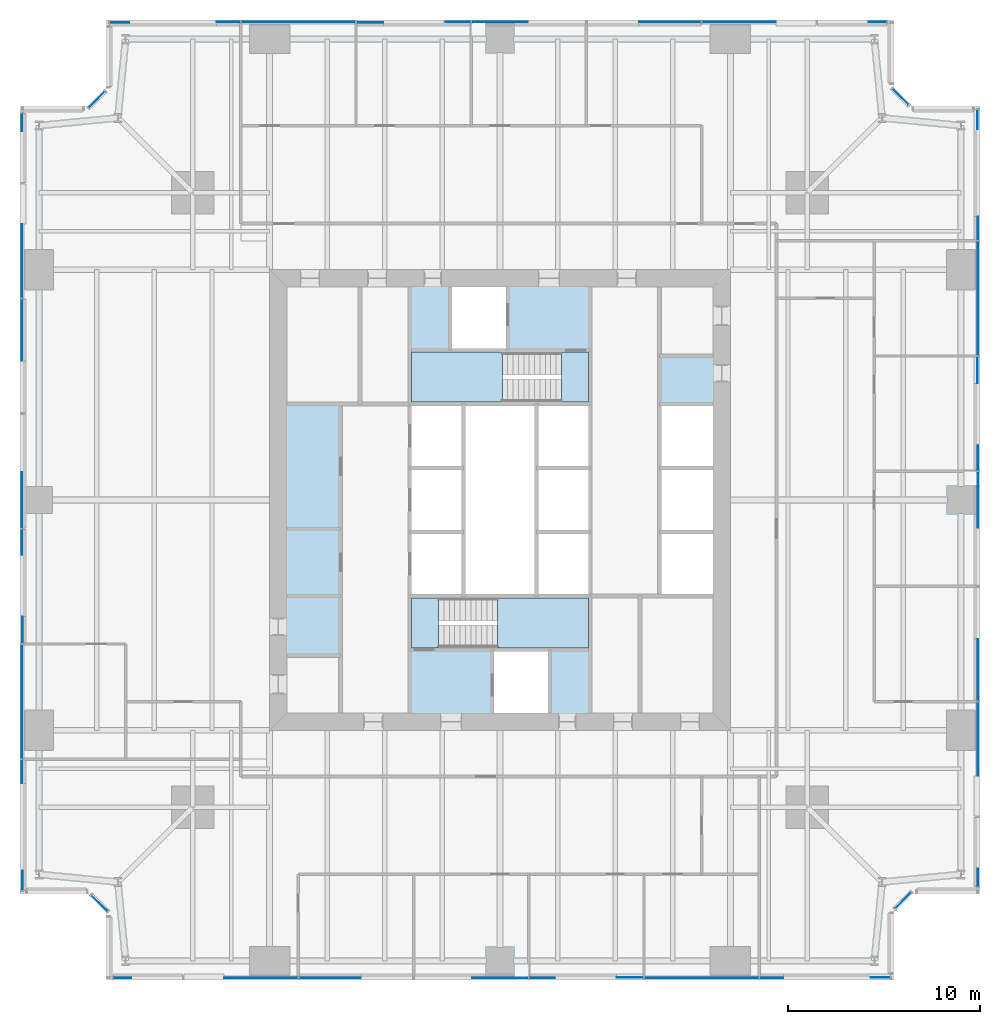
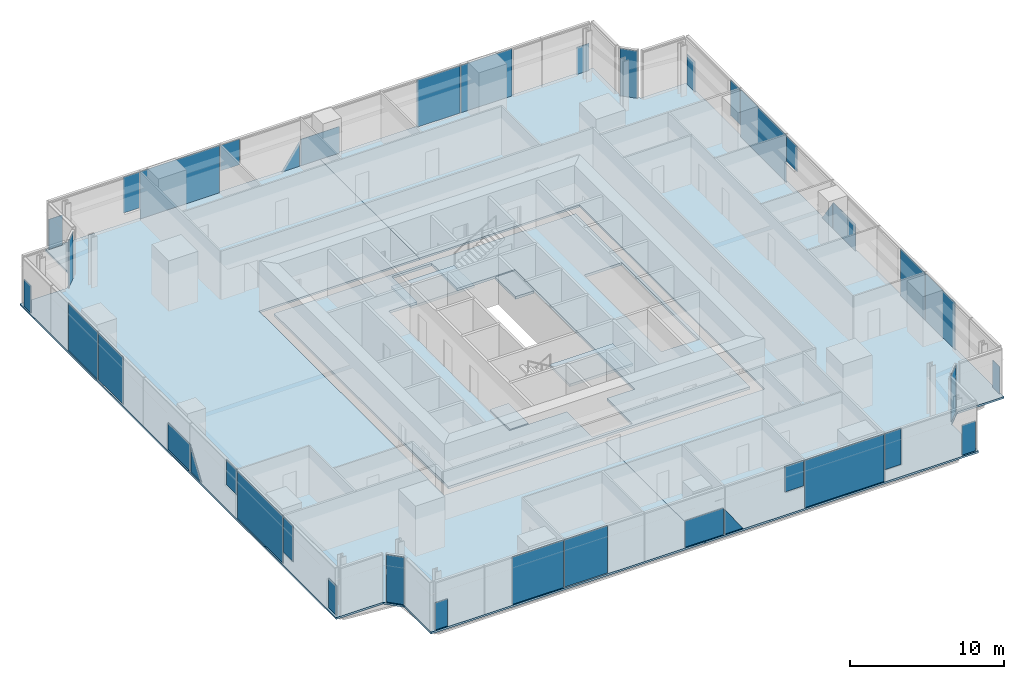
# One storey, part 8 of 13: 40 plates, 7 slabs, 10 elements without a shape of their own.
"""IFC4 building model written with IfcOpenShell, lengths in metres."""

from ifc_helpers import new_model, si_unit, direction, frame, origin, origin_2d, place, context, subcontext, project, spatial, polyline, rectangle, outline, extrude, material, layer, layer_set, type_object, element, aggregate, save


model = new_model("IFC4")

# Units and contexts
model_context = context("Model", 3, precision=1e-05, world=origin(), true_north=direction((0.0, 1.0)))
body_context = subcontext(model_context, "Body", "Model", "MODEL_VIEW")
ifc_project = project(units=[si_unit("LENGTHUNIT", "METRE"), si_unit("AREAUNIT", "SQUARE_METRE"), si_unit("VOLUMEUNIT", "CUBIC_METRE"), si_unit("PLANEANGLEUNIT", "RADIAN"), si_unit("MASSUNIT", "GRAM", prefix="KILO")], contexts=[model_context])

# Site, building, storey
site_placement = place(None, origin())
site = spatial("IfcSite", under=ifc_project, at=site_placement, CompositionType="ELEMENT")
building_placement = place(site_placement, origin())
building = spatial("IfcBuilding", under=site, at=building_placement, Name="Fenwick Lantern Interchange", CompositionType="ELEMENT")
storey_placement = place(building_placement, frame((0.0, 0.0, 106.39990234375)))
storey = spatial("IfcBuildingStorey", under=building, at=storey_placement, Name="L24", CompositionType="ELEMENT", Elevation=106.39990234375)

# Slabs
ifc_material_1 = material(Name="Concrete f'c 35 MPa", Category="concrete")
ifc_layer_1 = layer(ifc_material_1, 0.199951171875)
ifc_layer_set_1 = layer_set([ifc_layer_1], Name="CORE FLOOR SLAB 200")
slab_type_1 = type_object("IfcSlabType", Name="CORE FLOOR SLAB 200", PredefinedType="FLOOR", material=ifc_layer_set_1)
slab_1_placement = place(storey_placement, frame((0.0, 0.0, -0.199951171875)))
element("IfcSlab", 1, at=slab_1_placement, inside=storey, type_object=slab_type_1, Name="L24/SLAB/CORE", PredefinedType="FLOOR", context=body_context, shape_type="SweptSolid", body=[
    extrude(outline(polyline([(13.699951171875, 36.300048828125), (36.300048828125, 36.300048828125), (36.300048828125, 13.699951171875), (13.699951171875, 13.699951171875), (13.699951171875, 36.300048828125)]), holes=[polyline([(29.699951171875, 17.199951171875), (29.699951171875, 20.0), (29.699951171875, 23.333251953125), (29.699951171875, 26.666748046875), (29.699951171875, 30.0), (29.699951171875, 32.800048828125), (25.39990234375, 32.800048828125), (25.39990234375, 36.10009765625), (22.39990234375, 36.10009765625), (22.39990234375, 32.800048828125), (20.300048828125, 32.800048828125), (20.300048828125, 30.0), (20.300048828125, 26.666748046875), (20.300048828125, 23.333251953125), (20.300048828125, 20.0), (20.300048828125, 17.199951171875), (24.60009765625, 17.199951171875), (24.60009765625, 13.89990234375), (27.60009765625, 13.89990234375), (27.60009765625, 17.199951171875), (29.699951171875, 17.199951171875)]), polyline([(33.300048828125, 23.333251953125), (33.300048828125, 20.0), (36.10009765625, 20.0), (36.10009765625, 23.333251953125), (36.10009765625, 26.666748046875), (36.10009765625, 30.0), (33.300048828125, 30.0), (33.300048828125, 26.666748046875), (33.300048828125, 23.333251953125)])]), origin(), (0.0, 0.0, 1.0), 0.199951171875),
])
ifc_material_2 = material(Name="Concrete f'c 35 MPa", Category="concrete")
ifc_layer_2 = layer(ifc_material_2, 0.14990234375)
ifc_layer_set_2 = layer_set([ifc_layer_2], Name="Concrete f'c 35 MPa")
slab_type_2 = type_object("IfcSlabType", Name="FLOOR SLAB 150", PredefinedType="FLOOR", material=ifc_layer_set_2)
slab_2_placement = place(storey_placement, frame((0.0, 0.0, -0.14990234375)))
element("IfcSlab", 2, at=slab_2_placement, inside=storey, type_object=slab_type_2, Name="L24/SLAB/FW", PredefinedType="FLOOR", context=body_context, shape_type="SweptSolid", body=[
    extrude(outline(polyline([(4.5, 0.0), (4.5, 3.5), (3.5, 4.5), (0.0, 4.5), (0.0, 45.5), (3.5, 45.5), (4.5, 46.5), (4.5, 50.0), (25.0, 50.0), (25.0, 37.0), (13.0, 37.0), (13.0, 13.0), (25.0, 13.0), (25.0, 0.0), (4.5, 0.0)])), origin(), (0.0, 0.0, 1.0), 0.14990234375),
])
slab_3_placement = place(storey_placement, frame((0.0, 0.0, -0.14990234375)))
element("IfcSlab", 3, at=slab_3_placement, inside=storey, type_object=slab_type_2, Name="L24/SLAB/FE", PredefinedType="FLOOR", context=body_context, shape_type="SweptSolid", body=[
    extrude(outline(polyline([(45.5, 50.0), (45.5, 46.5), (46.5, 45.5), (50.0, 45.5), (50.0, 4.5), (46.5, 4.5), (45.5, 3.5), (45.5, 0.0), (25.0, 0.0), (25.0, 13.0), (37.0, 13.0), (37.0, 37.0), (25.0, 37.0), (25.0, 50.0), (45.5, 50.0)])), origin(), (0.0, 0.0, 1.0), 0.14990234375),
])

# Curtain wall, plates
ifc_material_3 = material(Name="Aluminium curtain wall frame", Category="aluminium")
curtain_wall_type = type_object("IfcCurtainWallType", Name="OFFICE CURTAIN WALL", PredefinedType="USERDEFINED", material=ifc_material_3)
curtain_wall_1_placement = place(storey_placement, origin())
curtain_wall_1 = element("IfcCurtainWall", 4, at=curtain_wall_1_placement, inside=storey, type_object=curtain_wall_type, Name="Office curtain wall 01", ObjectType="OFFICE CURTAIN WALL", PredefinedType="USERDEFINED")
ifc_material_4 = material(Name="Vision glass, clear low-iron double glazed", Category="glass")
ifc_layer_3 = layer(ifc_material_4, 0.031982421875)
ifc_layer_set_3 = layer_set([ifc_layer_3], Name="OFFICE CURTAIN WALL PANEL 32")
plate_type = type_object("IfcPlateType", Name="OFFICE CURTAIN WALL PANEL 32", PredefinedType="CURTAIN_PANEL", material=ifc_layer_set_3)
plate_1_placement = place(storey_placement, frame((4.60009765625, 0.10009765625, 0.0), z_axis=(0.0, 0.0, 1.0), x_axis=(1.0, 0.0, 0.0)))
plate_1 = element("IfcPlate", 5, at=plate_1_placement, type_object=plate_type, Name="L24/CW/01/P00a", PredefinedType="CURTAIN_PANEL", context=body_context, shape_type="SweptSolid", body=[
    extrude(outline(polyline([(0.264892578125, 0.0), (1.18994140625, 0.0), (1.18994140625, 2.150390625), (0.264892578125, 2.150390625), (0.264892578125, 0.0)])), frame((0.0, 0.01611328125, 0.0), z_axis=(0.0, -1.0, 0.0), x_axis=(1.0, 0.0, 0.0)), (0.0, 0.0, 1.0), 0.031982421875),
])
plate_2_placement = place(storey_placement, frame((4.60009765625, 0.10009765625, 0.0), z_axis=(0.0, 0.0, 1.0), x_axis=(1.0, 0.0, 0.0)))
plate_2 = element("IfcPlate", 6, at=plate_2_placement, type_object=plate_type, Name="L24/CW/01/P01a", PredefinedType="CURTAIN_PANEL", context=body_context, shape_type="SweptSolid", body=[
    extrude(outline(polyline([(6.031005859375, 0.0), (9.867431640625, 0.0), (9.867431640625, 3.75), (6.031005859375, 3.75), (6.031005859375, 0.0)])), frame((0.0, 0.01611328125, 0.0), z_axis=(0.0, -1.0, 0.0), x_axis=(1.0, 0.0, 0.0)), (0.0, 0.0, 1.0), 0.031982421875),
])
plate_3_placement = place(storey_placement, frame((4.60009765625, 0.10009765625, 0.004638671875), z_axis=(0.0, 0.0, 1.0), x_axis=(1.0, 0.0, 0.0)))
plate_3 = element("IfcPlate", 7, at=plate_3_placement, type_object=plate_type, Name="L24/CW/01/P02a", PredefinedType="CURTAIN_PANEL", context=body_context, shape_type="SweptSolid", body=[
    extrude(outline(polyline([(9.9326171875, 0.0), (13.1474609375, 0.0), (13.1474609375, 3.745361328125), (9.9326171875, 3.745361328125), (9.9326171875, 0.0)])), frame((0.0, 0.01611328125, 0.0), z_axis=(0.0, -1.0, 0.0), x_axis=(1.0, 0.0, 0.0)), (0.0, 0.0, 1.0), 0.031982421875),
])
plate_4_placement = place(storey_placement, frame((4.60009765625, 0.10009765625, 0.0), z_axis=(0.0, 0.0, 1.0), x_axis=(1.0, 0.0, 0.0)))
plate_4 = element("IfcPlate", 8, at=plate_4_placement, type_object=plate_type, Name="L24/CW/01/P03a", PredefinedType="CURTAIN_PANEL", context=body_context, shape_type="SweptSolid", body=[
    extrude(outline(polyline([(18.955078125, 0.0), (21.84521484375, 0.0), (21.84521484375, 2.10595703125), (18.955078125, 2.10595703125), (18.955078125, 0.0)])), frame((0.0, 0.01611328125, 0.0), z_axis=(0.0, -1.0, 0.0), x_axis=(1.0, 0.0, 0.0)), (0.0, 0.0, 1.0), 0.031982421875),
])
plate_5_placement = place(storey_placement, frame((4.60009765625, 0.10009765625, 0.0), z_axis=(0.0, 0.0, 1.0), x_axis=(1.0, 0.0, 0.0)))
plate_5 = element("IfcPlate", 9, at=plate_5_placement, type_object=plate_type, Name="L24/CW/01/P04a", PredefinedType="CURTAIN_PANEL", context=body_context, shape_type="SweptSolid", body=[
    extrude(outline(polyline([(21.9326171875, 0.0), (23.289794921875, 0.0), (21.9326171875, 1.978515625), (21.9326171875, 0.0)])), frame((0.0, 0.01611328125, 0.0), z_axis=(0.0, -1.0, 0.0), x_axis=(1.0, 0.0, 0.0)), (0.0, 0.0, 1.0), 0.031982421875),
])
plate_6_placement = place(storey_placement, frame((4.60009765625, 0.10009765625, 1.72412109375), z_axis=(0.0, 0.0, 1.0), x_axis=(1.0, 0.0, 0.0)))
plate_6 = element("IfcPlate", 10, at=plate_6_placement, type_object=plate_type, Name="L24/CW/01/P04b", PredefinedType="CURTAIN_PANEL", context=body_context, shape_type="SweptSolid", body=[
    extrude(outline(polyline([(26.472900390625, 0.0), (27.867431640625, 0.0), (27.867431640625, 2.02587890625), (26.472900390625, 2.02587890625), (26.472900390625, 0.0)])), frame((0.0, 0.0498046875, 0.0), z_axis=(0.0, -1.0, 0.0), x_axis=(1.0, 0.0, 0.0)), (0.0, 0.0, 1.0), 0.031982421875),
])
plate_7_placement = place(storey_placement, frame((35.5, 0.10009765625, 0.0), z_axis=(0.0, 0.0, 1.0), x_axis=(1.0, 0.0, 0.0)))
plate_7 = element("IfcPlate", 11, at=plate_7_placement, type_object=plate_type, Name="L24/CW/01/P05", PredefinedType="CURTAIN_PANEL", context=body_context, shape_type="SweptSolid", body=[
    extrude(rectangle(XDim=5.93505859375, YDim=0.031982421875, at=origin_2d()), origin(), (0.0, 0.0, 1.0), 3.75),
])
plate_8_placement = place(storey_placement, frame((4.60009765625, 0.10009765625, 0.9013671875), z_axis=(0.0, 0.0, 1.0), x_axis=(1.0, 0.0, 0.0)))
plate_8 = element("IfcPlate", 12, at=plate_8_placement, type_object=plate_type, Name="L24/CW/01/P06a", PredefinedType="CURTAIN_PANEL", context=body_context, shape_type="SweptSolid", body=[
    extrude(outline(polyline([(33.9326171875, 0.0), (35.157470703125, 0.0), (35.157470703125, 2.8486328125), (33.9326171875, 2.8486328125), (33.9326171875, 0.0)])), frame((0.0, 0.01611328125, 0.0), z_axis=(0.0, -1.0, 0.0), x_axis=(1.0, 0.0, 0.0)), (0.0, 0.0, 1.0), 0.031982421875),
])
plate_9_placement = place(storey_placement, frame((4.60009765625, 0.10009765625, 0.0), z_axis=(0.0, 0.0, 1.0), x_axis=(1.0, 0.0, 0.0)))
plate_9 = element("IfcPlate", 13, at=plate_9_placement, type_object=plate_type, Name="L24/CW/01/P06b", PredefinedType="CURTAIN_PANEL", context=body_context, shape_type="SweptSolid", body=[
    extrude(outline(polyline([(39.712890625, 0.0), (40.735107421875, 0.0), (40.735107421875, 2.390625), (39.712890625, 2.390625), (39.712890625, 0.0)])), frame((0.0, 0.0498046875, 0.0), z_axis=(0.0, -1.0, 0.0), x_axis=(1.0, 0.0, 0.0)), (0.0, 0.0, 1.0), 0.031982421875),
])
aggregate(curtain_wall_1, [plate_1, plate_2, plate_3, plate_4, plate_5, plate_6, plate_7, plate_8, plate_9])

# Curtain wall, plate
curtain_wall_2_placement = place(storey_placement, origin())
curtain_wall_2 = element("IfcCurtainWall", 14, at=curtain_wall_2_placement, inside=storey, type_object=curtain_wall_type, Name="Office curtain wall 03", ObjectType="OFFICE CURTAIN WALL", PredefinedType="USERDEFINED")
plate_10_placement = place(storey_placement, frame((46.0, 4.141357421875, 0.0), z_axis=(0.0, 0.0, 1.0), x_axis=(0.707106781187, 0.707106781187, 0.0)))
plate_10 = element("IfcPlate", 15, at=plate_10_placement, type_object=plate_type, Name="L24/CW/03/P00", PredefinedType="CURTAIN_PANEL", context=body_context, shape_type="SweptSolid", body=[
    extrude(rectangle(XDim=1.1669921875, YDim=0.031982421875, at=origin_2d()), origin(), (0.0, 0.0, 1.0), 3.75),
])
aggregate(curtain_wall_2, [plate_10])

# Curtain wall, plates
curtain_wall_3_placement = place(storey_placement, origin())
curtain_wall_3 = element("IfcCurtainWall", 16, at=curtain_wall_3_placement, inside=storey, type_object=curtain_wall_type, Name="Office curtain wall 05", ObjectType="OFFICE CURTAIN WALL", PredefinedType="USERDEFINED")
plate_11_placement = place(storey_placement, frame((49.89990234375, 4.60009765625, 0.0), z_axis=(0.0, 0.0, 1.0), x_axis=(0.0, 1.0, 0.0)))
plate_11 = element("IfcPlate", 17, at=plate_11_placement, type_object=plate_type, Name="L24/CW/05/P00a", PredefinedType="CURTAIN_PANEL", context=body_context, shape_type="SweptSolid", body=[
    extrude(outline(polyline([(0.264892578125, 0.0), (1.18994140625, 0.0), (1.18994140625, 2.150390625), (0.264892578125, 2.150390625), (0.264892578125, 0.0)])), frame((0.0, 0.01611328125, 0.0), z_axis=(0.0, -1.0, 0.0), x_axis=(1.0, 0.0, 0.0)), (0.0, 0.0, 1.0), 0.031982421875),
])
plate_12_placement = place(storey_placement, frame((49.89990234375, 4.60009765625, 0.0), z_axis=(0.0, 0.0, 1.0), x_axis=(0.0, 1.0, 0.0)))
plate_12 = element("IfcPlate", 18, at=plate_12_placement, type_object=plate_type, Name="L24/CW/05/P01a", PredefinedType="CURTAIN_PANEL", context=body_context, shape_type="SweptSolid", body=[
    extrude(outline(polyline([(6.031005859375, 0.0), (9.867431640625, 0.0), (9.867431640625, 3.75), (6.031005859375, 3.75), (6.031005859375, 0.0)])), frame((0.0, 0.01611328125, 0.0), z_axis=(0.0, -1.0, 0.0), x_axis=(1.0, 0.0, 0.0)), (0.0, 0.0, 1.0), 0.031982421875),
])
plate_13_placement = place(storey_placement, frame((49.89990234375, 4.60009765625, 0.004638671875), z_axis=(0.0, 0.0, 1.0), x_axis=(0.0, 1.0, 0.0)))
plate_13 = element("IfcPlate", 19, at=plate_13_placement, type_object=plate_type, Name="L24/CW/05/P02a", PredefinedType="CURTAIN_PANEL", context=body_context, shape_type="SweptSolid", body=[
    extrude(outline(polyline([(9.9326171875, 0.0), (13.1474609375, 0.0), (13.1474609375, 3.745361328125), (9.9326171875, 3.745361328125), (9.9326171875, 0.0)])), frame((0.0, 0.01611328125, 0.0), z_axis=(0.0, -1.0, 0.0), x_axis=(1.0, 0.0, 0.0)), (0.0, 0.0, 1.0), 0.031982421875),
])
plate_14_placement = place(storey_placement, frame((49.89990234375, 4.60009765625, 0.0), z_axis=(0.0, 0.0, 1.0), x_axis=(0.0, 1.0, 0.0)))
plate_14 = element("IfcPlate", 20, at=plate_14_placement, type_object=plate_type, Name="L24/CW/05/P03a", PredefinedType="CURTAIN_PANEL", context=body_context, shape_type="SweptSolid", body=[
    extrude(outline(polyline([(18.955078125, 0.0), (21.84521484375, 0.0), (21.84521484375, 2.10595703125), (18.955078125, 2.10595703125), (18.955078125, 0.0)])), frame((0.0, 0.01611328125, 0.0), z_axis=(0.0, -1.0, 0.0), x_axis=(1.0, 0.0, 0.0)), (0.0, 0.0, 1.0), 0.031982421875),
])
plate_15_placement = place(storey_placement, frame((49.89990234375, 4.60009765625, 0.0), z_axis=(0.0, 0.0, 1.0), x_axis=(0.0, 1.0, 0.0)))
plate_15 = element("IfcPlate", 21, at=plate_15_placement, type_object=plate_type, Name="L24/CW/05/P04a", PredefinedType="CURTAIN_PANEL", context=body_context, shape_type="SweptSolid", body=[
    extrude(outline(polyline([(21.9326171875, 0.0), (23.289794921875, 0.0), (21.9326171875, 1.978515625), (21.9326171875, 0.0)])), frame((0.0, 0.01611328125, 0.0), z_axis=(0.0, -1.0, 0.0), x_axis=(1.0, 0.0, 0.0)), (0.0, 0.0, 1.0), 0.031982421875),
])
plate_16_placement = place(storey_placement, frame((49.89990234375, 4.60009765625, 1.72412109375), z_axis=(0.0, 0.0, 1.0), x_axis=(0.0, 1.0, 0.0)))
plate_16 = element("IfcPlate", 22, at=plate_16_placement, type_object=plate_type, Name="L24/CW/05/P04b", PredefinedType="CURTAIN_PANEL", context=body_context, shape_type="SweptSolid", body=[
    extrude(outline(polyline([(26.472900390625, 0.0), (27.867431640625, 0.0), (27.867431640625, 2.02587890625), (26.472900390625, 2.02587890625), (26.472900390625, 0.0)])), frame((0.0, 0.0498046875, 0.0), z_axis=(0.0, -1.0, 0.0), x_axis=(1.0, 0.0, 0.0)), (0.0, 0.0, 1.0), 0.031982421875),
])
plate_17_placement = place(storey_placement, frame((49.89990234375, 35.5, 0.0), z_axis=(0.0, 0.0, 1.0), x_axis=(0.0, 1.0, 0.0)))
plate_17 = element("IfcPlate", 23, at=plate_17_placement, type_object=plate_type, Name="L24/CW/05/P05", PredefinedType="CURTAIN_PANEL", context=body_context, shape_type="SweptSolid", body=[
    extrude(rectangle(XDim=5.93505859375, YDim=0.031982421875, at=origin_2d()), origin(), (0.0, 0.0, 1.0), 3.75),
])
plate_18_placement = place(storey_placement, frame((49.89990234375, 4.60009765625, 0.9013671875), z_axis=(0.0, 0.0, 1.0), x_axis=(0.0, 1.0, 0.0)))
plate_18 = element("IfcPlate", 24, at=plate_18_placement, type_object=plate_type, Name="L24/CW/05/P06a", PredefinedType="CURTAIN_PANEL", context=body_context, shape_type="SweptSolid", body=[
    extrude(outline(polyline([(33.9326171875, 0.0), (35.157470703125, 0.0), (35.157470703125, 2.8486328125), (33.9326171875, 2.8486328125), (33.9326171875, 0.0)])), frame((0.0, 0.01611328125, 0.0), z_axis=(0.0, -1.0, 0.0), x_axis=(1.0, 0.0, 0.0)), (0.0, 0.0, 1.0), 0.031982421875),
])
plate_19_placement = place(storey_placement, frame((49.89990234375, 4.60009765625, 0.0), z_axis=(0.0, 0.0, 1.0), x_axis=(0.0, 1.0, 0.0)))
plate_19 = element("IfcPlate", 25, at=plate_19_placement, type_object=plate_type, Name="L24/CW/05/P06b", PredefinedType="CURTAIN_PANEL", context=body_context, shape_type="SweptSolid", body=[
    extrude(outline(polyline([(39.712890625, 0.0), (40.735107421875, 0.0), (40.735107421875, 2.390625), (39.712890625, 2.390625), (39.712890625, 0.0)])), frame((0.0, 0.0498046875, 0.0), z_axis=(0.0, -1.0, 0.0), x_axis=(1.0, 0.0, 0.0)), (0.0, 0.0, 1.0), 0.031982421875),
])
aggregate(curtain_wall_3, [plate_11, plate_12, plate_13, plate_14, plate_15, plate_16, plate_17, plate_18, plate_19])

# Curtain wall, plate
curtain_wall_4_placement = place(storey_placement, origin())
curtain_wall_4 = element("IfcCurtainWall", 26, at=curtain_wall_4_placement, inside=storey, type_object=curtain_wall_type, Name="Office curtain wall 07", ObjectType="OFFICE CURTAIN WALL", PredefinedType="USERDEFINED")
plate_20_placement = place(storey_placement, frame((45.858642578125, 46.0, 0.0), z_axis=(0.0, 0.0, 1.0), x_axis=(-0.707106781187, 0.707106781187, 0.0)))
plate_20 = element("IfcPlate", 27, at=plate_20_placement, type_object=plate_type, Name="L24/CW/07/P00", PredefinedType="CURTAIN_PANEL", context=body_context, shape_type="SweptSolid", body=[
    extrude(rectangle(XDim=1.1669921875, YDim=0.031982421875, at=origin_2d()), origin(), (0.0, 0.0, 1.0), 3.75),
])
aggregate(curtain_wall_4, [plate_20])

# Curtain wall, plates
curtain_wall_5_placement = place(storey_placement, origin())
curtain_wall_5 = element("IfcCurtainWall", 28, at=curtain_wall_5_placement, inside=storey, type_object=curtain_wall_type, Name="Office curtain wall 09", ObjectType="OFFICE CURTAIN WALL", PredefinedType="USERDEFINED")
plate_21_placement = place(storey_placement, frame((45.39990234375, 49.89990234375, 0.0), z_axis=(0.0, 0.0, 1.0), x_axis=(-1.0, 0.0, 0.0)))
plate_21 = element("IfcPlate", 29, at=plate_21_placement, type_object=plate_type, Name="L24/CW/09/P00a", PredefinedType="CURTAIN_PANEL", context=body_context, shape_type="SweptSolid", body=[
    extrude(outline(polyline([(0.264892578125, 0.0), (1.18994140625, 0.0), (1.18994140625, 2.150390625), (0.264892578125, 2.150390625), (0.264892578125, 0.0)])), frame((0.0, 0.01611328125, 0.0), z_axis=(0.0, -1.0, 0.0), x_axis=(1.0, 0.0, 0.0)), (0.0, 0.0, 1.0), 0.031982421875),
])
plate_22_placement = place(storey_placement, frame((45.39990234375, 49.89990234375, 0.0), z_axis=(0.0, 0.0, 1.0), x_axis=(-1.0, 0.0, 0.0)))
plate_22 = element("IfcPlate", 30, at=plate_22_placement, type_object=plate_type, Name="L24/CW/09/P01a", PredefinedType="CURTAIN_PANEL", context=body_context, shape_type="SweptSolid", body=[
    extrude(outline(polyline([(6.031005859375, 0.0), (9.867431640625, 0.0), (9.867431640625, 3.75), (6.031005859375, 3.75), (6.031005859375, 0.0)])), frame((0.0, 0.01611328125, 0.0), z_axis=(0.0, -1.0, 0.0), x_axis=(1.0, 0.0, 0.0)), (0.0, 0.0, 1.0), 0.031982421875),
])
plate_23_placement = place(storey_placement, frame((45.39990234375, 49.89990234375, 0.004638671875), z_axis=(0.0, 0.0, 1.0), x_axis=(-1.0, 0.0, 0.0)))
plate_23 = element("IfcPlate", 31, at=plate_23_placement, type_object=plate_type, Name="L24/CW/09/P02a", PredefinedType="CURTAIN_PANEL", context=body_context, shape_type="SweptSolid", body=[
    extrude(outline(polyline([(9.9326171875, 0.0), (13.1474609375, 0.0), (13.1474609375, 3.745361328125), (9.9326171875, 3.745361328125), (9.9326171875, 0.0)])), frame((0.0, 0.01611328125, 0.0), z_axis=(0.0, -1.0, 0.0), x_axis=(1.0, 0.0, 0.0)), (0.0, 0.0, 1.0), 0.031982421875),
])
plate_24_placement = place(storey_placement, frame((45.39990234375, 49.89990234375, 0.0), z_axis=(0.0, 0.0, 1.0), x_axis=(-1.0, 0.0, 0.0)))
plate_24 = element("IfcPlate", 32, at=plate_24_placement, type_object=plate_type, Name="L24/CW/09/P03a", PredefinedType="CURTAIN_PANEL", context=body_context, shape_type="SweptSolid", body=[
    extrude(outline(polyline([(18.955078125, 0.0), (21.84521484375, 0.0), (21.84521484375, 2.10595703125), (18.955078125, 2.10595703125), (18.955078125, 0.0)])), frame((0.0, 0.01611328125, 0.0), z_axis=(0.0, -1.0, 0.0), x_axis=(1.0, 0.0, 0.0)), (0.0, 0.0, 1.0), 0.031982421875),
])
plate_25_placement = place(storey_placement, frame((45.39990234375, 49.89990234375, 0.0), z_axis=(0.0, 0.0, 1.0), x_axis=(-1.0, 0.0, 0.0)))
plate_25 = element("IfcPlate", 33, at=plate_25_placement, type_object=plate_type, Name="L24/CW/09/P04a", PredefinedType="CURTAIN_PANEL", context=body_context, shape_type="SweptSolid", body=[
    extrude(outline(polyline([(21.9326171875, 0.0), (23.289794921875, 0.0), (21.9326171875, 1.978515625), (21.9326171875, 0.0)])), frame((0.0, 0.01611328125, 0.0), z_axis=(0.0, -1.0, 0.0), x_axis=(1.0, 0.0, 0.0)), (0.0, 0.0, 1.0), 0.031982421875),
])
plate_26_placement = place(storey_placement, frame((45.39990234375, 49.89990234375, 1.72412109375), z_axis=(0.0, 0.0, 1.0), x_axis=(-1.0, 0.0, 0.0)))
plate_26 = element("IfcPlate", 34, at=plate_26_placement, type_object=plate_type, Name="L24/CW/09/P04b", PredefinedType="CURTAIN_PANEL", context=body_context, shape_type="SweptSolid", body=[
    extrude(outline(polyline([(26.472900390625, 0.0), (27.867431640625, 0.0), (27.867431640625, 2.02587890625), (26.472900390625, 2.02587890625), (26.472900390625, 0.0)])), frame((0.0, 0.0498046875, 0.0), z_axis=(0.0, -1.0, 0.0), x_axis=(1.0, 0.0, 0.0)), (0.0, 0.0, 1.0), 0.031982421875),
])
plate_27_placement = place(storey_placement, frame((14.5, 49.89990234375, 0.0), z_axis=(0.0, 0.0, 1.0), x_axis=(-1.0, 0.0, 0.0)))
plate_27 = element("IfcPlate", 35, at=plate_27_placement, type_object=plate_type, Name="L24/CW/09/P05", PredefinedType="CURTAIN_PANEL", context=body_context, shape_type="SweptSolid", body=[
    extrude(rectangle(XDim=5.93505859375, YDim=0.031982421875, at=origin_2d()), origin(), (0.0, 0.0, 1.0), 3.75),
])
plate_28_placement = place(storey_placement, frame((45.39990234375, 49.89990234375, 0.9013671875), z_axis=(0.0, 0.0, 1.0), x_axis=(-1.0, 0.0, 0.0)))
plate_28 = element("IfcPlate", 36, at=plate_28_placement, type_object=plate_type, Name="L24/CW/09/P06a", PredefinedType="CURTAIN_PANEL", context=body_context, shape_type="SweptSolid", body=[
    extrude(outline(polyline([(33.9326171875, 0.0), (35.157470703125, 0.0), (35.157470703125, 2.8486328125), (33.9326171875, 2.8486328125), (33.9326171875, 0.0)])), frame((0.0, 0.01611328125, 0.0), z_axis=(0.0, -1.0, 0.0), x_axis=(1.0, 0.0, 0.0)), (0.0, 0.0, 1.0), 0.031982421875),
])
plate_29_placement = place(storey_placement, frame((45.39990234375, 49.89990234375, 0.0), z_axis=(0.0, 0.0, 1.0), x_axis=(-1.0, 0.0, 0.0)))
plate_29 = element("IfcPlate", 37, at=plate_29_placement, type_object=plate_type, Name="L24/CW/09/P06b", PredefinedType="CURTAIN_PANEL", context=body_context, shape_type="SweptSolid", body=[
    extrude(outline(polyline([(39.712890625, 0.0), (40.735107421875, 0.0), (40.735107421875, 2.390625), (39.712890625, 2.390625), (39.712890625, 0.0)])), frame((0.0, 0.0498046875, 0.0), z_axis=(0.0, -1.0, 0.0), x_axis=(1.0, 0.0, 0.0)), (0.0, 0.0, 1.0), 0.031982421875),
])
aggregate(curtain_wall_5, [plate_21, plate_22, plate_23, plate_24, plate_25, plate_26, plate_27, plate_28, plate_29])

# Curtain wall, plate
curtain_wall_6_placement = place(storey_placement, origin())
curtain_wall_6 = element("IfcCurtainWall", 38, at=curtain_wall_6_placement, inside=storey, type_object=curtain_wall_type, Name="Office curtain wall 11", ObjectType="OFFICE CURTAIN WALL", PredefinedType="USERDEFINED")
plate_30_placement = place(storey_placement, frame((4.0, 45.858642578125, 0.0), z_axis=(0.0, 0.0, 1.0), x_axis=(-0.707106781187, -0.707106781187, 0.0)))
plate_30 = element("IfcPlate", 39, at=plate_30_placement, type_object=plate_type, Name="L24/CW/11/P00", PredefinedType="CURTAIN_PANEL", context=body_context, shape_type="SweptSolid", body=[
    extrude(rectangle(XDim=1.1669921875, YDim=0.031982421875, at=origin_2d()), origin(), (0.0, 0.0, 1.0), 3.75),
])
aggregate(curtain_wall_6, [plate_30])

# Curtain wall, plates
curtain_wall_7_placement = place(storey_placement, origin())
curtain_wall_7 = element("IfcCurtainWall", 40, at=curtain_wall_7_placement, inside=storey, type_object=curtain_wall_type, Name="Office curtain wall 13", ObjectType="OFFICE CURTAIN WALL", PredefinedType="USERDEFINED")
plate_31_placement = place(storey_placement, frame((0.10009765625, 45.39990234375, 0.0), z_axis=(0.0, 0.0, 1.0), x_axis=(0.0, -1.0, 0.0)))
plate_31 = element("IfcPlate", 41, at=plate_31_placement, type_object=plate_type, Name="L24/CW/13/P00a", PredefinedType="CURTAIN_PANEL", context=body_context, shape_type="SweptSolid", body=[
    extrude(outline(polyline([(0.264892578125, 0.0), (1.18994140625, 0.0), (1.18994140625, 2.150390625), (0.264892578125, 2.150390625), (0.264892578125, 0.0)])), frame((0.0, 0.01611328125, 0.0), z_axis=(0.0, -1.0, 0.0), x_axis=(1.0, 0.0, 0.0)), (0.0, 0.0, 1.0), 0.031982421875),
])
plate_32_placement = place(storey_placement, frame((0.10009765625, 45.39990234375, 0.0), z_axis=(0.0, 0.0, 1.0), x_axis=(0.0, -1.0, 0.0)))
plate_32 = element("IfcPlate", 42, at=plate_32_placement, type_object=plate_type, Name="L24/CW/13/P01a", PredefinedType="CURTAIN_PANEL", context=body_context, shape_type="SweptSolid", body=[
    extrude(outline(polyline([(6.031005859375, 0.0), (9.867431640625, 0.0), (9.867431640625, 3.75), (6.031005859375, 3.75), (6.031005859375, 0.0)])), frame((0.0, 0.01611328125, 0.0), z_axis=(0.0, -1.0, 0.0), x_axis=(1.0, 0.0, 0.0)), (0.0, 0.0, 1.0), 0.031982421875),
])
plate_33_placement = place(storey_placement, frame((0.10009765625, 45.39990234375, 0.004638671875), z_axis=(0.0, 0.0, 1.0), x_axis=(0.0, -1.0, 0.0)))
plate_33 = element("IfcPlate", 43, at=plate_33_placement, type_object=plate_type, Name="L24/CW/13/P02a", PredefinedType="CURTAIN_PANEL", context=body_context, shape_type="SweptSolid", body=[
    extrude(outline(polyline([(9.9326171875, 0.0), (13.1474609375, 0.0), (13.1474609375, 3.745361328125), (9.9326171875, 3.745361328125), (9.9326171875, 0.0)])), frame((0.0, 0.01611328125, 0.0), z_axis=(0.0, -1.0, 0.0), x_axis=(1.0, 0.0, 0.0)), (0.0, 0.0, 1.0), 0.031982421875),
])
plate_34_placement = place(storey_placement, frame((0.10009765625, 45.39990234375, 0.0), z_axis=(0.0, 0.0, 1.0), x_axis=(0.0, -1.0, 0.0)))
plate_34 = element("IfcPlate", 44, at=plate_34_placement, type_object=plate_type, Name="L24/CW/13/P03a", PredefinedType="CURTAIN_PANEL", context=body_context, shape_type="SweptSolid", body=[
    extrude(outline(polyline([(18.955078125, 0.0), (21.84521484375, 0.0), (21.84521484375, 2.10595703125), (18.955078125, 2.10595703125), (18.955078125, 0.0)])), frame((0.0, 0.01611328125, 0.0), z_axis=(0.0, -1.0, 0.0), x_axis=(1.0, 0.0, 0.0)), (0.0, 0.0, 1.0), 0.031982421875),
])
plate_35_placement = place(storey_placement, frame((0.10009765625, 45.39990234375, 0.0), z_axis=(0.0, 0.0, 1.0), x_axis=(0.0, -1.0, 0.0)))
plate_35 = element("IfcPlate", 45, at=plate_35_placement, type_object=plate_type, Name="L24/CW/13/P04a", PredefinedType="CURTAIN_PANEL", context=body_context, shape_type="SweptSolid", body=[
    extrude(outline(polyline([(21.9326171875, 0.0), (23.289794921875, 0.0), (21.9326171875, 1.978515625), (21.9326171875, 0.0)])), frame((0.0, 0.01611328125, 0.0), z_axis=(0.0, -1.0, 0.0), x_axis=(1.0, 0.0, 0.0)), (0.0, 0.0, 1.0), 0.031982421875),
])
plate_36_placement = place(storey_placement, frame((0.10009765625, 45.39990234375, 1.72412109375), z_axis=(0.0, 0.0, 1.0), x_axis=(0.0, -1.0, 0.0)))
plate_36 = element("IfcPlate", 46, at=plate_36_placement, type_object=plate_type, Name="L24/CW/13/P04b", PredefinedType="CURTAIN_PANEL", context=body_context, shape_type="SweptSolid", body=[
    extrude(outline(polyline([(26.472900390625, 0.0), (27.867431640625, 0.0), (27.867431640625, 2.02587890625), (26.472900390625, 2.02587890625), (26.472900390625, 0.0)])), frame((0.0, 0.0498046875, 0.0), z_axis=(0.0, -1.0, 0.0), x_axis=(1.0, 0.0, 0.0)), (0.0, 0.0, 1.0), 0.031982421875),
])
plate_37_placement = place(storey_placement, frame((0.10009765625, 14.5, 0.0), z_axis=(0.0, 0.0, 1.0), x_axis=(0.0, -1.0, 0.0)))
plate_37 = element("IfcPlate", 47, at=plate_37_placement, type_object=plate_type, Name="L24/CW/13/P05", PredefinedType="CURTAIN_PANEL", context=body_context, shape_type="SweptSolid", body=[
    extrude(rectangle(XDim=5.93505859375, YDim=0.031982421875, at=origin_2d()), origin(), (0.0, 0.0, 1.0), 3.75),
])
plate_38_placement = place(storey_placement, frame((0.10009765625, 45.39990234375, 0.9013671875), z_axis=(0.0, 0.0, 1.0), x_axis=(0.0, -1.0, 0.0)))
plate_38 = element("IfcPlate", 48, at=plate_38_placement, type_object=plate_type, Name="L24/CW/13/P06a", PredefinedType="CURTAIN_PANEL", context=body_context, shape_type="SweptSolid", body=[
    extrude(outline(polyline([(33.9326171875, 0.0), (35.157470703125, 0.0), (35.157470703125, 2.8486328125), (33.9326171875, 2.8486328125), (33.9326171875, 0.0)])), frame((0.0, 0.01611328125, 0.0), z_axis=(0.0, -1.0, 0.0), x_axis=(1.0, 0.0, 0.0)), (0.0, 0.0, 1.0), 0.031982421875),
])
plate_39_placement = place(storey_placement, frame((0.10009765625, 45.39990234375, 0.0), z_axis=(0.0, 0.0, 1.0), x_axis=(0.0, -1.0, 0.0)))
plate_39 = element("IfcPlate", 49, at=plate_39_placement, type_object=plate_type, Name="L24/CW/13/P06b", PredefinedType="CURTAIN_PANEL", context=body_context, shape_type="SweptSolid", body=[
    extrude(outline(polyline([(39.712890625, 0.0), (40.735107421875, 0.0), (40.735107421875, 2.390625), (39.712890625, 2.390625), (39.712890625, 0.0)])), frame((0.0, 0.0498046875, 0.0), z_axis=(0.0, -1.0, 0.0), x_axis=(1.0, 0.0, 0.0)), (0.0, 0.0, 1.0), 0.031982421875),
])
aggregate(curtain_wall_7, [plate_31, plate_32, plate_33, plate_34, plate_35, plate_36, plate_37, plate_38, plate_39])

# Curtain wall, plate
curtain_wall_8_placement = place(storey_placement, origin())
curtain_wall_8 = element("IfcCurtainWall", 50, at=curtain_wall_8_placement, inside=storey, type_object=curtain_wall_type, Name="Office curtain wall 15", ObjectType="OFFICE CURTAIN WALL", PredefinedType="USERDEFINED")
plate_40_placement = place(storey_placement, frame((4.141357421875, 4.0, 0.0), z_axis=(0.0, 0.0, 1.0), x_axis=(0.707106781187, -0.707106781187, 0.0)))
plate_40 = element("IfcPlate", 51, at=plate_40_placement, type_object=plate_type, Name="L24/CW/15/P00", PredefinedType="CURTAIN_PANEL", context=body_context, shape_type="SweptSolid", body=[
    extrude(rectangle(XDim=1.1669921875, YDim=0.031982421875, at=origin_2d()), origin(), (0.0, 0.0, 1.0), 3.75),
])
aggregate(curtain_wall_8, [plate_40])

# Stair, slabs
ifc_material_5 = material(Name="Precast concrete f'c 35 MPa", Category="concrete")
stair_type = type_object("IfcStairType", Name="EXIT STAIR 1200", PredefinedType="HALF_TURN_STAIR", material=ifc_material_5)
stair_1_placement = place(storey_placement, origin())
stair_1 = element("IfcStair", 52, at=stair_1_placement, inside=storey, type_object=stair_type, Name="Exit stair ST1", PredefinedType="HALF_TURN_STAIR")
ifc_layer_4 = layer(ifc_material_1, 0.199951171875)
ifc_layer_set_4 = layer_set([ifc_layer_4], Name="STAIR LANDING 200")
slab_type_3 = type_object("IfcSlabType", Name="STAIR LANDING 200", PredefinedType="LANDING", material=ifc_layer_set_4)
slab_4_placement = place(storey_placement, frame((0.0, 0.0, 1.800048828125)))
slab_4 = element("IfcSlab", 53, at=slab_4_placement, type_object=slab_type_3, Name="ST1 landing 1", PredefinedType="LANDING", context=body_context, shape_type="SweptSolid", body=[
    extrude(outline(polyline([(24.8798828125, 17.300048828125), (29.60009765625, 17.300048828125), (29.60009765625, 19.89990234375), (24.8798828125, 19.89990234375), (24.8798828125, 17.300048828125)])), origin(), (0.0, 0.0, 1.0), 0.199951171875),
])
slab_5_placement = place(storey_placement, frame((0.0, 0.0, -0.199951171875)))
slab_5 = element("IfcSlab", 54, at=slab_5_placement, type_object=slab_type_3, Name="ST1 landing 2", PredefinedType="LANDING", context=body_context, shape_type="SweptSolid", body=[
    extrude(outline(polyline([(20.39990234375, 17.300048828125), (21.800048828125, 17.300048828125), (21.800048828125, 19.89990234375), (20.39990234375, 19.89990234375), (20.39990234375, 17.300048828125)])), origin(), (0.0, 0.0, 1.0), 0.199951171875),
])
aggregate(stair_1, [slab_4, slab_5])

stair_2_placement = place(storey_placement, origin())
stair_2 = element("IfcStair", 55, at=stair_2_placement, inside=storey, type_object=stair_type, Name="Exit stair ST2", PredefinedType="HALF_TURN_STAIR")
slab_6_placement = place(storey_placement, frame((0.0, 0.0, 1.800048828125)))
slab_6 = element("IfcSlab", 56, at=slab_6_placement, type_object=slab_type_3, Name="ST2 landing 1", PredefinedType="LANDING", context=body_context, shape_type="SweptSolid", body=[
    extrude(outline(polyline([(25.1201171875, 32.699951171875), (20.39990234375, 32.699951171875), (20.39990234375, 30.10009765625), (25.1201171875, 30.10009765625), (25.1201171875, 32.699951171875)])), origin(), (0.0, 0.0, 1.0), 0.199951171875),
])
slab_7_placement = place(storey_placement, frame((0.0, 0.0, -0.199951171875)))
slab_7 = element("IfcSlab", 57, at=slab_7_placement, type_object=slab_type_3, Name="ST2 landing 2", PredefinedType="LANDING", context=body_context, shape_type="SweptSolid", body=[
    extrude(outline(polyline([(29.60009765625, 32.699951171875), (28.199951171875, 32.699951171875), (28.199951171875, 30.10009765625), (29.60009765625, 30.10009765625), (29.60009765625, 32.699951171875)])), origin(), (0.0, 0.0, 1.0), 0.199951171875),
])
aggregate(stair_2, [slab_6, slab_7])

save(model, "model.ifc")
